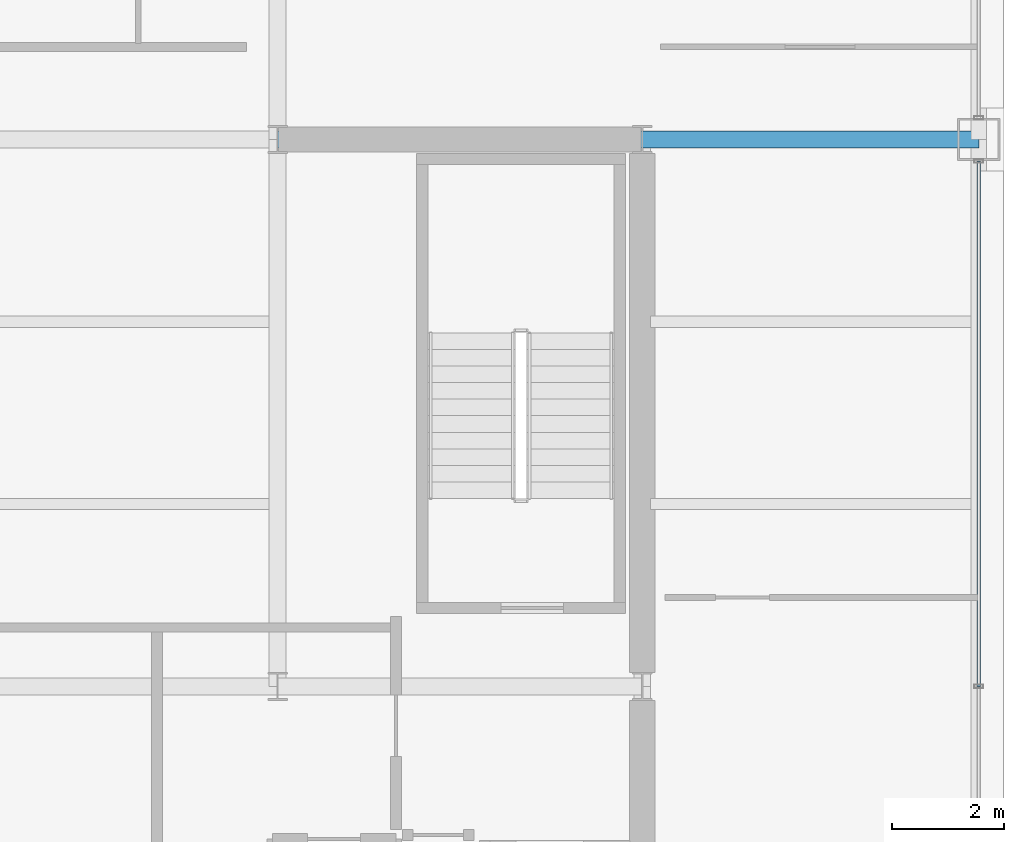
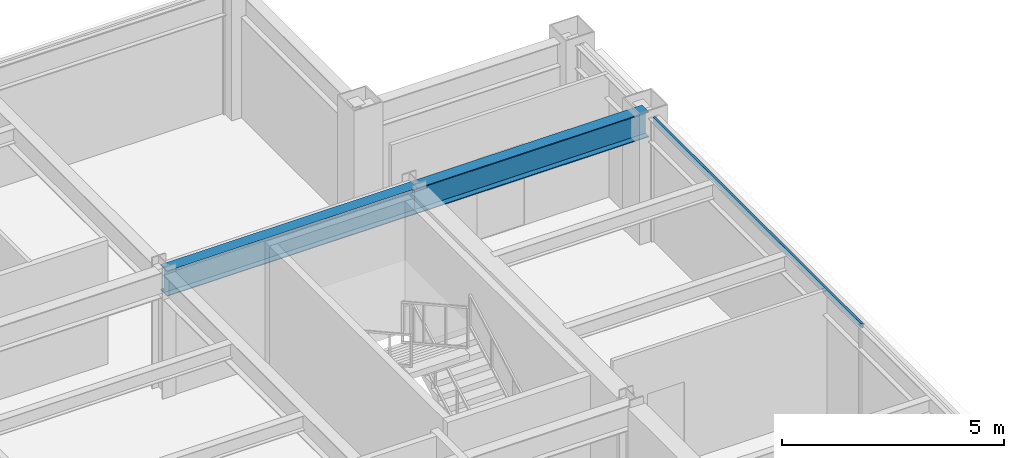
# One storey, part 16 of 28: 2 beams, 1 member, 1 element without a shape of its own.
"""IFC4 building model written with IfcOpenShell, lengths in metres."""

from ifc_helpers import new_model, si_unit, direction, frame, origin, origin_2d, place, context, subcontext, project, spatial, hollow_rectangle, i_section, extrude, material, layer, layer_set, material_profile, profile_set, type_object, element, aggregate, save


model = new_model("IFC4")

# Units and contexts
model_context = context("Model", 3, precision=1e-05, world=origin(), true_north=direction((0.0, 1.0)))
body_context = subcontext(model_context, "Body", "Model", "MODEL_VIEW")
ifc_project = project(units=[si_unit("LENGTHUNIT", "METRE"), si_unit("AREAUNIT", "SQUARE_METRE"), si_unit("VOLUMEUNIT", "CUBIC_METRE"), si_unit("PLANEANGLEUNIT", "RADIAN"), si_unit("MASSUNIT", "GRAM", prefix="KILO")], contexts=[model_context])

# Site, building, storey
site_placement = place(None, origin())
site = spatial("IfcSite", under=ifc_project, at=site_placement, CompositionType="ELEMENT")
building_placement = place(site_placement, origin())
building = spatial("IfcBuilding", under=site, at=building_placement, Name="Brelmoor Portico Tower", CompositionType="ELEMENT")
storey_placement = place(building_placement, frame((0.0, 0.0, 165.89990234375)))
storey = spatial("IfcBuildingStorey", under=building, at=storey_placement, Name="L43", CompositionType="ELEMENT", Elevation=165.89990234375)

# Beams
ifc_material_1 = material(Name="Steel Q355B", Category="steel")
ifc_material_profile_1 = material_profile(ifc_material_1, i_section(OverallWidth=0.300048828125, OverallDepth=0.699951171875, WebThickness=0.012939453125, FlangeThickness=0.02392578125, at=origin_2d()), Name="HN 700x300x13x24")
ifc_profile_set_1 = profile_set([ifc_material_profile_1], Name="Steel Q355B")
beam_type = type_object("IfcBeamType", Name="BM-PG-700", PredefinedType="BEAM", material=ifc_profile_set_1)
beam_1_placement = place(storey_placement, frame((8.050048828125, 9.75, 3.050048828125), z_axis=(1.0, 0.0, 0.0), x_axis=(0.0, 1.0, 0.0)))
element("IfcBeam", 1, at=beam_1_placement, inside=storey, type_object=beam_type, Name="L43 Primary Floor Girder PG-22", PredefinedType="BEAM", context=body_context, shape_type="SweptSolid", body=[
    extrude(i_section(OverallWidth=0.300048828125, OverallDepth=0.699951171875, WebThickness=0.012939453125, FlangeThickness=0.02392578125, at=origin_2d()), origin(), (0.0, 0.0, 1.0), 6.5),
])
beam_2_placement = place(storey_placement, frame((14.550048828125, 9.75, 3.050048828125), z_axis=(1.0, 0.0, 0.0), x_axis=(0.0, 1.0, 0.0)))
element("IfcBeam", 2, at=beam_2_placement, inside=storey, type_object=beam_type, Name="L43 Primary Floor Girder PG-23", PredefinedType="BEAM", context=body_context, shape_type="SweptSolid", body=[
    extrude(i_section(OverallWidth=0.300048828125, OverallDepth=0.699951171875, WebThickness=0.012939453125, FlangeThickness=0.02392578125, at=origin_2d()), origin(), (0.0, 0.0, 1.0), 6.0),
])

# Curtain wall, member
ifc_material_2 = material(Name="Anodised Aluminium Alloy 6063-T6", Category="aluminium")
ifc_layer = layer(ifc_material_2, 0.179931640625)
ifc_layer_set = layer_set([ifc_layer], Name="Anodised Aluminium Alloy 6063-T6")
curtain_wall_type = type_object("IfcCurtainWallType", Name="CW-TOWER-Z3-XB", PredefinedType="NOTDEFINED", material=ifc_layer_set)
curtain_wall_placement = place(storey_placement, origin())
curtain_wall = element("IfcCurtainWall", 3, at=curtain_wall_placement, inside=storey, type_object=curtain_wall_type, Name="L43 Curtain Wall CW-L43-04-2", PredefinedType="NOTDEFINED")
ifc_material_profile_2 = material_profile(ifc_material_2, hollow_rectangle(XDim=0.06005859375, YDim=0.125, WallThickness=0.00341796875, at=origin_2d()), Name="ALU TRANSOM 60x125")
ifc_profile_set_2 = profile_set([ifc_material_profile_2], Name="Anodised Aluminium Alloy 6063-T6")
member_type = type_object("IfcMemberType", Name="MB-CW-TRAN-125", PredefinedType="USERDEFINED", material=ifc_profile_set_2)
member_placement = place(storey_placement, frame((20.550048828125, 0.0, 3.337646484375), z_axis=(0.0, 1.0, 0.0), x_axis=(-1.0, 0.0, 0.0)))
member = element("IfcMember", 4, at=member_placement, type_object=member_type, Name="CW-L43-04-2 Transom 1-01", ObjectType="TRANSOM", PredefinedType="USERDEFINED", context=body_context, shape_type="SweptSolid", body=[
    extrude(hollow_rectangle(XDim=0.06005859375, YDim=0.125, WallThickness=0.00341796875, at=origin_2d()), origin(), (0.0, 0.0, 1.0), 9.364990234375),
])
aggregate(curtain_wall, [member])

save(model, "model.ifc")
